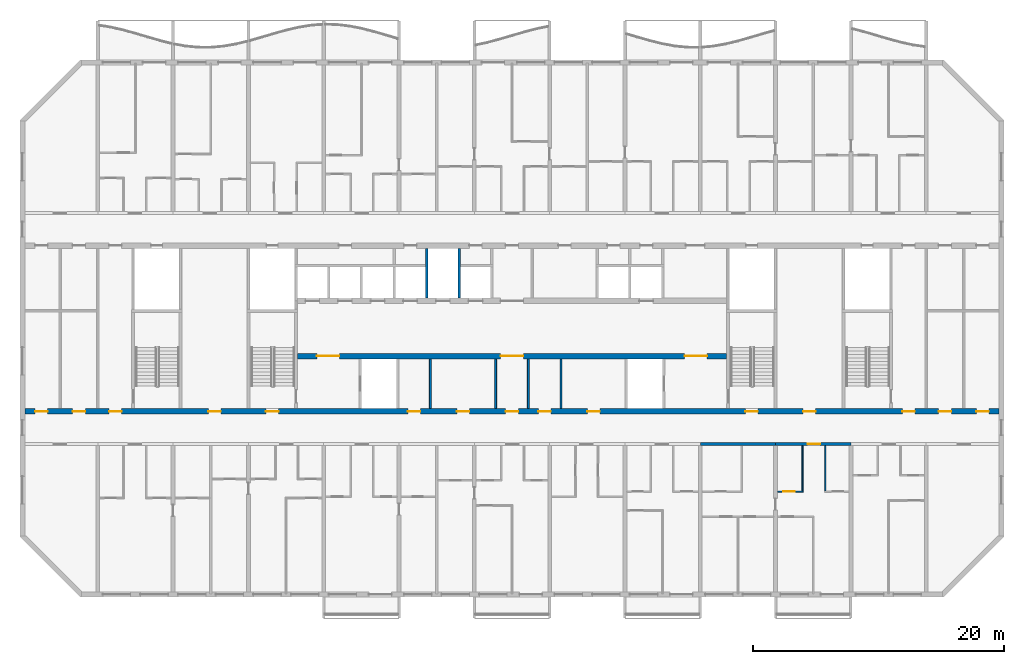
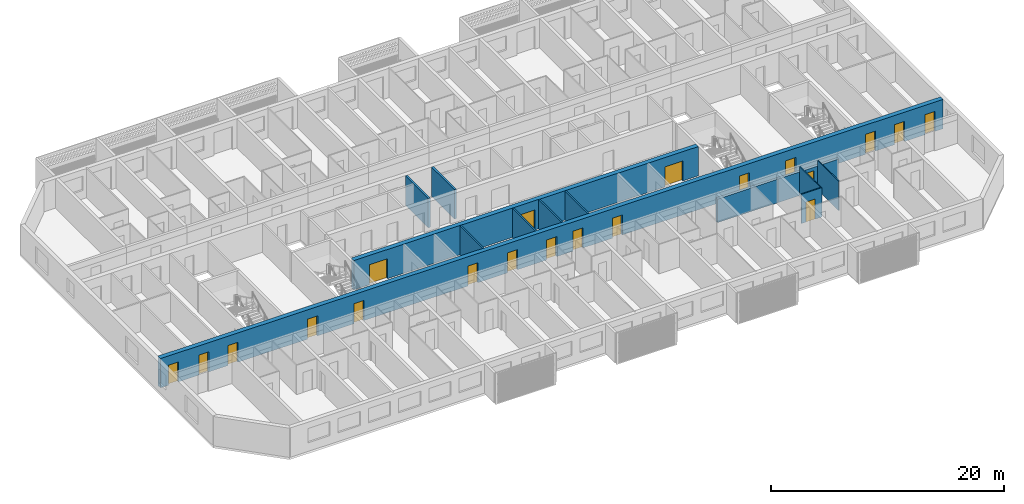
# One storey, part 6 of 32: 20 doors, 13 walls, 20 openings.
"""IFC4 building model written with IfcOpenShell, lengths in metres."""

from ifc_helpers import new_model, si_unit, direction, frame, frame_2d, origin, place, context, subcontext, project, spatial, rectangle, extrude, material, layer, layer_set, type_object, element, fill, save


model = new_model("IFC4")

# Units and contexts
model_context = context("Model", 3, precision=1e-05, world=origin(), true_north=direction((0.0, 1.0)))
body_context = subcontext(model_context, "Body", "Model", "MODEL_VIEW")
ifc_project = project(units=[si_unit("LENGTHUNIT", "METRE"), si_unit("AREAUNIT", "SQUARE_METRE"), si_unit("VOLUMEUNIT", "CUBIC_METRE"), si_unit("PLANEANGLEUNIT", "RADIAN"), si_unit("MASSUNIT", "GRAM", prefix="KILO")], contexts=[model_context])

# Site, building, storey
site_placement = place(None, origin())
site = spatial("IfcSite", under=ifc_project, at=site_placement, CompositionType="ELEMENT")
building_placement = place(site_placement, origin())
building = spatial("IfcBuilding", under=site, at=building_placement, Name="Poui Terraces", CompositionType="ELEMENT")
storey_placement = place(building_placement, frame((0.0, 0.0, 129.0)))
storey = spatial("IfcBuildingStorey", under=building, at=storey_placement, Name="L35", CompositionType="ELEMENT", Elevation=129.0)

# Wall, openings, doors
ifc_material_1 = material(Name="Concrete 65 MPa", Category="concrete")
ifc_layer_1 = layer(ifc_material_1, 0.449951171875)
ifc_layer_set_1 = layer_set([ifc_layer_1], Name="Concrete 65 MPa")
wall_type_1 = type_object("IfcWallType", Name="CORE WALL 450 65 MPA", PredefinedType="SOLIDWALL", material=ifc_layer_set_1)
wall_1_placement = place(storey_placement, frame((33.925048828125, 19.0, 0.0), z_axis=(0.0, 0.0, 1.0), x_axis=(1.0, 0.0, 0.0)))
wall_1 = element("IfcWall", 1, at=wall_1_placement, inside=storey, type_object=wall_type_1, Name="CORE WALL", PredefinedType="SOLIDWALL", context=body_context, shape_type="SweptSolid", body=[
    extrude(rectangle(XDim=34.14990234375, YDim=0.449951171875, at=frame_2d((17.074951171875, 0.0))), origin(), (0.0, 0.0, 1.0), 3.070068359375),
])
opening_1_placement = place(wall_1_placement, frame((16.175048828125, 0.0, 0.0)))
opening_1 = element("IfcOpeningElement", 2, at=opening_1_placement, cuts=wall_1, Name="Opening FDD60", PredefinedType="OPENING", context=body_context, shape_type="SweptSolid", body=[
    extrude(rectangle(XDim=1.800048828125, YDim=2.10009765625, at=frame_2d((0.89990234375, 1.050048828125))), frame((0.0, 0.23486328125, 0.0), z_axis=(0.0, -1.0, 0.0), x_axis=(1.0, 0.0, 0.0)), (0.0, 0.0, 1.0), 0.469970703125),
])
opening_2_placement = place(wall_1_placement, frame((1.52490234375, 0.0, 0.0)))
opening_2 = element("IfcOpeningElement", 3, at=opening_2_placement, cuts=wall_1, Name="Opening FDD60", PredefinedType="OPENING", context=body_context, shape_type="SweptSolid", body=[
    extrude(rectangle(XDim=1.800048828125, YDim=2.10009765625, at=frame_2d((0.89990234375, 1.050048828125))), frame((0.0, 0.23486328125, 0.0), z_axis=(0.0, -1.0, 0.0), x_axis=(1.0, 0.0, 0.0)), (0.0, 0.0, 1.0), 0.469970703125),
])
opening_3_placement = place(wall_1_placement, frame((30.824951171875, 0.0, 0.0)))
opening_3 = element("IfcOpeningElement", 4, at=opening_3_placement, cuts=wall_1, Name="Opening FDD60", PredefinedType="OPENING", context=body_context, shape_type="SweptSolid", body=[
    extrude(rectangle(XDim=1.800048828125, YDim=2.10009765625, at=frame_2d((0.89990234375, 1.050048828125))), frame((0.0, 0.23486328125, 0.0), z_axis=(0.0, -1.0, 0.0), x_axis=(1.0, 0.0, 0.0)), (0.0, 0.0, 1.0), 0.469970703125),
])
ifc_material_2 = material(Name="Steel fire door", Category="steel")
door_type_1 = type_object("IfcDoorType", Name="DOUBLE LOBBY FIRE DOOR 1800 X 2100", OperationType="DOUBLE_DOOR_SINGLE_SWING", PredefinedType="DOOR", material=ifc_material_2)
door_1_placement = place(opening_1_placement, frame((1.800048828125, 0.0, 0.0), z_axis=(0.0, 0.0, 1.0), x_axis=(-1.0, 0.0, 0.0)))
door_1 = element("IfcDoor", 5, at=door_1_placement, inside=storey, type_object=door_type_1, Name="DOUBLE LOBBY FIRE DOOR 126", OperationType="DOUBLE_DOOR_SINGLE_SWING", OverallHeight=2.10009765625, OverallWidth=1.800048828125, PredefinedType="DOOR", context=body_context, shape_type="SweptSolid", body=[
    extrude(rectangle(XDim=1.800048828125, YDim=2.10009765625, at=frame_2d((0.89990234375, 1.050048828125))), frame((0.0, 0.02490234375, 0.0), z_axis=(0.0, -1.0, 0.0), x_axis=(1.0, 0.0, 0.0)), (0.0, 0.0, 1.0), 0.050048828125),
])
fill(opening_1, door_1)
door_2_placement = place(opening_2_placement, origin())
door_2 = element("IfcDoor", 6, at=door_2_placement, inside=storey, type_object=door_type_1, Name="DOUBLE LOBBY FIRE DOOR 128", OperationType="DOUBLE_DOOR_SINGLE_SWING", OverallHeight=2.10009765625, OverallWidth=1.800048828125, PredefinedType="DOOR", context=body_context, shape_type="SweptSolid", body=[
    extrude(rectangle(XDim=1.800048828125, YDim=2.10009765625, at=frame_2d((0.89990234375, 1.050048828125))), frame((0.0, 0.02490234375, 0.0), z_axis=(0.0, -1.0, 0.0), x_axis=(1.0, 0.0, 0.0)), (0.0, 0.0, 1.0), 0.050048828125),
])
fill(opening_2, door_2)
door_3_placement = place(opening_3_placement, origin())
door_3 = element("IfcDoor", 7, at=door_3_placement, inside=storey, type_object=door_type_1, Name="DOUBLE LOBBY FIRE DOOR 135", OperationType="DOUBLE_DOOR_SINGLE_SWING", OverallHeight=2.10009765625, OverallWidth=1.800048828125, PredefinedType="DOOR", context=body_context, shape_type="SweptSolid", body=[
    extrude(rectangle(XDim=1.800048828125, YDim=2.10009765625, at=frame_2d((0.89990234375, 1.050048828125))), frame((0.0, 0.02490234375, 0.0), z_axis=(0.0, -1.0, 0.0), x_axis=(1.0, 0.0, 0.0)), (0.0, 0.0, 1.0), 0.050048828125),
])
fill(opening_3, door_3)

# Walls
ifc_material_3 = material(Name="Fire-rated plasterboard wall")
ifc_layer_2 = layer(ifc_material_3, 0.14990234375)
ifc_layer_set_2 = layer_set([ifc_layer_2], Name="Fire-rated plasterboard wall")
wall_type_2 = type_object("IfcWallType", Name="CORRIDOR WALL 150", PredefinedType="PARTITIONING", material=ifc_layer_set_2)
for number, where, z_axis, x_axis, name in (
    (8, (49.699951171875, 14.8349609375, 0.0), (0.0, 0.0, 1.0), (0.0, 1.0, 0.0), "CORRIDOR WALL 150"),
    (9, (52.300048828125, 14.8349609375, 0.0), (0.0, 0.0, 1.0), (0.0, 1.0, 0.0), "CORRIDOR WALL 150"),
):
    element("IfcWall", number, at=place(storey_placement, frame(where, z_axis=z_axis, x_axis=x_axis)), inside=storey, type_object=wall_type_2, Name=name, PredefinedType="PARTITIONING", context=body_context, shape_type="SweptSolid", body=[
        extrude(rectangle(XDim=3.929931640625, YDim=0.14990234375, at=frame_2d((1.96484375, 0.0))), origin(), (0.0, 0.0, 1.0), 3.070068359375),
    ])
ifc_layer_3 = layer(ifc_material_1, 0.25)
ifc_layer_set_3 = layer_set([ifc_layer_3], Name="Concrete 65 MPa")
wall_type_3 = type_object("IfcWallType", Name="CORRIDOR WALL 250 65MPa", PredefinedType="SHEAR", material=ifc_layer_set_3)
wall_2_placement = place(storey_placement, frame((66.0, 12.0, 0.0), z_axis=(0.0, 0.0, 1.0), x_axis=(1.0, 0.0, 0.0)))
element("IfcWall", 10, at=wall_2_placement, inside=storey, type_object=wall_type_3, Name="CORRIDOR WALL LINE B BAY 10", PredefinedType="SHEAR", context=body_context, shape_type="SweptSolid", body=[
    extrude(rectangle(XDim=6.0, YDim=0.25, at=frame_2d((3.0, 0.0))), origin(), (0.0, 0.0, 1.0), 2.469970703125),
])

# Wall, opening, door
wall_3_placement = place(storey_placement, frame((72.0, 12.0, 0.0), z_axis=(0.0, 0.0, 1.0), x_axis=(1.0, 0.0, 0.0)))
wall_3 = element("IfcWall", 11, at=wall_3_placement, inside=storey, type_object=wall_type_3, Name="CORRIDOR WALL LINE B BAY 11", PredefinedType="SHEAR", context=body_context, shape_type="SweptSolid", body=[
    extrude(rectangle(XDim=6.0, YDim=0.25, at=frame_2d((3.0, 0.0))), origin(), (0.0, 0.0, 1.0), 2.469970703125),
])
opening_4_placement = place(wall_3_placement, frame((2.550048828125, 0.0, 0.0)))
opening_4 = element("IfcOpeningElement", 12, at=opening_4_placement, cuts=wall_3, Name="Opening FD30S", PredefinedType="OPENING", context=body_context, shape_type="SweptSolid", body=[
    extrude(rectangle(XDim=1.0, YDim=2.10009765625, at=frame_2d((0.5, 1.050048828125))), frame((0.0, 0.135009765625, 0.0), z_axis=(0.0, -1.0, 0.0), x_axis=(1.0, 0.0, 0.0)), (0.0, 0.0, 1.0), 0.27001953125),
])
door_type_2 = type_object("IfcDoorType", Name="FLAT ENTRANCE DOOR 1000 X 2100", OperationType="NOTDEFINED", PredefinedType="DOOR", material=ifc_material_2)
door_4_placement = place(opening_4_placement, frame((1.0, 0.0, 0.0), z_axis=(0.0, 0.0, 1.0), x_axis=(-1.0, 0.0, 0.0)))
door_4 = element("IfcDoor", 13, at=door_4_placement, inside=storey, type_object=door_type_2, Name="FLAT ENTRANCE DOOR 114", OperationType="SINGLE_SWING_LEFT", OverallHeight=2.10009765625, OverallWidth=1.0, PredefinedType="DOOR", context=body_context, shape_type="SweptSolid", body=[
    extrude(rectangle(XDim=1.0, YDim=2.10009765625, at=frame_2d((0.5, 1.050048828125))), frame((0.0, 0.02490234375, 0.0), z_axis=(0.0, -1.0, 0.0), x_axis=(1.0, 0.0, 0.0)), (0.0, 0.0, 1.0), 0.050048828125),
])
fill(opening_4, door_4)

ifc_material_4 = material(Name="Plasterboard partition")
ifc_layer_4 = layer(ifc_material_4, 0.10009765625)
ifc_layer_set_4 = layer_set([ifc_layer_4], Name="Plasterboard partition")
wall_type_4 = type_object("IfcWallType", Name="FLAT PARTITION 100", PredefinedType="PARTITIONING", material=ifc_layer_set_4)
wall_4_placement = place(storey_placement, frame((72.159912109375, 8.199951171875, 0.0), z_axis=(0.0, 0.0, 1.0), x_axis=(1.0, 0.0, 0.0)))
wall_4 = element("IfcWall", 14, at=wall_4_placement, inside=storey, type_object=wall_type_4, Name="FLAT PARTITION 100", PredefinedType="PARTITIONING", context=body_context, shape_type="SweptSolid", body=[
    extrude(rectangle(XDim=2.0400390625, YDim=0.10009765625, at=frame_2d((1.02001953125, 0.0))), origin(), (0.0, 0.0, 1.0), 3.070068359375),
])
opening_5_placement = place(wall_4_placement, frame((0.465087890625, 0.0, 0.0)))
opening_5 = element("IfcOpeningElement", 15, at=opening_5_placement, cuts=wall_4, Name="Opening D90", PredefinedType="OPENING", context=body_context, shape_type="SweptSolid", body=[
    extrude(rectangle(XDim=0.89990234375, YDim=2.10009765625, at=frame_2d((0.449951171875, 1.050048828125))), frame((0.0, 0.06005859375, 0.0), z_axis=(0.0, -1.0, 0.0), x_axis=(1.0, 0.0, 0.0)), (0.0, 0.0, 1.0), 0.1201171875),
])
ifc_material_5 = material(Name="Solid core timber door", Category="wood")
door_type_3 = type_object("IfcDoorType", Name="INTERNAL DOOR 900 X 2100", OperationType="NOTDEFINED", PredefinedType="DOOR", material=ifc_material_5)
door_5_placement = place(opening_5_placement, origin())
door_5 = element("IfcDoor", 16, at=door_5_placement, inside=storey, type_object=door_type_3, Name="INTERNAL DOOR 113", OperationType="SINGLE_SWING_LEFT", OverallHeight=2.10009765625, OverallWidth=0.89990234375, PredefinedType="DOOR", context=body_context, shape_type="SweptSolid", body=[
    extrude(rectangle(XDim=0.89990234375, YDim=2.10009765625, at=frame_2d((0.449951171875, 1.050048828125))), frame((0.0, 0.02490234375, 0.0), z_axis=(0.0, -1.0, 0.0), x_axis=(1.0, 0.0, 0.0)), (0.0, 0.0, 1.0), 0.050048828125),
])
fill(opening_5, door_5)

# Walls
for number, where, z_axis, x_axis, name in (
    (17, (74.14990234375, 8.25, 0.0), (0.0, 0.0, 1.0), (0.0, 1.0, 0.0), "FLAT PARTITION 100"),
    (18, (75.949951171875, 8.25, 0.0), (0.0, 0.0, 1.0), (0.0, 1.0, 0.0), "FLAT PARTITION 100"),
):
    element("IfcWall", number, at=place(storey_placement, frame(where, z_axis=z_axis, x_axis=x_axis)), inside=storey, type_object=wall_type_4, Name=name, PredefinedType="PARTITIONING", context=body_context, shape_type="SweptSolid", body=[
        extrude(rectangle(XDim=3.614990234375, YDim=0.10009765625, at=frame_2d((1.8076171875, 0.0))), origin(), (0.0, 0.0, 1.0), 3.070068359375),
    ])
ifc_layer_5 = layer(ifc_material_4, 0.14990234375)
ifc_layer_set_5 = layer_set([ifc_layer_5], Name="Plasterboard partition")
wall_type_5 = type_object("IfcWallType", Name="PARTITION WALL 150", PredefinedType="PARTITIONING", material=ifc_layer_set_5)
for number, where, z_axis, x_axis, name in (
    (19, (44.5, 14.8349609375, 0.0), (0.0, 0.0, 1.0), (0.0, 1.0, 0.0), "PARTITION WALL 150"),
    (20, (54.89990234375, 14.8349609375, 0.0), (0.0, 0.0, 1.0), (0.0, 1.0, 0.0), "PARTITION WALL 150"),
):
    element("IfcWall", number, at=place(storey_placement, frame(where, z_axis=z_axis, x_axis=x_axis)), inside=storey, type_object=wall_type_5, Name=name, PredefinedType="PARTITIONING", context=body_context, shape_type="SweptSolid", body=[
        extrude(rectangle(XDim=3.929931640625, YDim=0.14990234375, at=frame_2d((1.96484375, 0.0))), origin(), (0.0, 0.0, 1.0), 3.070068359375),
    ])
ifc_material_6 = material(Name="Fire-rated masonry shaft wall", Category="masonry")
ifc_layer_6 = layer(ifc_material_6, 0.199951171875)
ifc_layer_set_6 = layer_set([ifc_layer_6], Name="Fire-rated masonry shaft wall")
wall_type_6 = type_object("IfcWallType", Name="SHAFT WALL 200", PredefinedType="PARTITIONING", material=ifc_layer_set_6)
for number, where, z_axis, x_axis, name in (
    (21, (44.199951171875, 23.635009765625, 0.0), (0.0, 0.0, 1.0), (0.0, 1.0, 0.0), "SHAFT WALL 200"),
    (22, (46.800048828125, 23.635009765625, 0.0), (0.0, 0.0, 1.0), (0.0, 1.0, 0.0), "SHAFT WALL 200"),
):
    element("IfcWall", number, at=place(storey_placement, frame(where, z_axis=z_axis, x_axis=x_axis)), inside=storey, type_object=wall_type_6, Name=name, PredefinedType="PARTITIONING", context=body_context, shape_type="SweptSolid", body=[
        extrude(rectangle(XDim=3.929931640625, YDim=0.199951171875, at=frame_2d((1.96484375, 0.0))), origin(), (0.0, 0.0, 1.0), 3.070068359375),
    ])

# Wall, openings, doors
ifc_layer_7 = layer(ifc_material_1, 0.449951171875)
ifc_layer_set_7 = layer_set([ifc_layer_7], Name="Concrete 65 MPa")
wall_type_7 = type_object("IfcWallType", Name="SPINE WALL 450 65 MPA", PredefinedType="SOLIDWALL", material=ifc_layer_set_7)
wall_5_placement = place(storey_placement, frame((12.199951171875, 14.60009765625, 0.0), z_axis=(0.0, 0.0, 1.0), x_axis=(1.0, 0.0, 0.0)))
wall_5 = element("IfcWall", 23, at=wall_5_placement, inside=storey, type_object=wall_type_7, Name="SPINE WALL", PredefinedType="SOLIDWALL", context=body_context, shape_type="SweptSolid", body=[
    extrude(rectangle(XDim=77.60009765625, YDim=0.449951171875, at=frame_2d((38.800048828125, 0.0))), origin(), (0.0, 0.0, 1.0), 3.070068359375),
])
opening_6_placement = place(wall_5_placement, frame((0.800048828125, 0.0, 0.0)))
opening_6 = element("IfcOpeningElement", 24, at=opening_6_placement, cuts=wall_5, Name="Opening D100", PredefinedType="OPENING", context=body_context, shape_type="SweptSolid", body=[
    extrude(rectangle(XDim=1.0, YDim=2.10009765625, at=frame_2d((0.5, 1.050048828125))), frame((0.0, 0.23486328125, 0.0), z_axis=(0.0, -1.0, 0.0), x_axis=(1.0, 0.0, 0.0)), (0.0, 0.0, 1.0), 0.469970703125),
])
opening_7_placement = place(wall_5_placement, frame((3.800048828125, 0.0, 0.0)))
opening_7 = element("IfcOpeningElement", 25, at=opening_7_placement, cuts=wall_5, Name="Opening FD60", PredefinedType="OPENING", context=body_context, shape_type="SweptSolid", body=[
    extrude(rectangle(XDim=1.0, YDim=2.10009765625, at=frame_2d((0.5, 1.050048828125))), frame((0.0, 0.23486328125, 0.0), z_axis=(0.0, -1.0, 0.0), x_axis=(1.0, 0.0, 0.0)), (0.0, 0.0, 1.0), 0.469970703125),
])
opening_8_placement = place(wall_5_placement, frame((6.699951171875, 0.0, 0.0)))
opening_8 = element("IfcOpeningElement", 26, at=opening_8_placement, cuts=wall_5, Name="Opening FDL", PredefinedType="OPENING", context=body_context, shape_type="SweptSolid", body=[
    extrude(rectangle(XDim=1.0, YDim=2.10009765625, at=frame_2d((0.5, 1.050048828125))), frame((0.0, 0.23486328125, 0.0), z_axis=(0.0, -1.0, 0.0), x_axis=(1.0, 0.0, 0.0)), (0.0, 0.0, 1.0), 0.469970703125),
])
opening_9_placement = place(wall_5_placement, frame((14.60009765625, 0.0, 0.0)))
opening_9 = element("IfcOpeningElement", 27, at=opening_9_placement, cuts=wall_5, Name="Opening D100", PredefinedType="OPENING", context=body_context, shape_type="SweptSolid", body=[
    extrude(rectangle(XDim=1.0, YDim=2.10009765625, at=frame_2d((0.5, 1.050048828125))), frame((0.0, 0.23486328125, 0.0), z_axis=(0.0, -1.0, 0.0), x_axis=(1.0, 0.0, 0.0)), (0.0, 0.0, 1.0), 0.469970703125),
])
opening_10_placement = place(wall_5_placement, frame((19.199951171875, 0.0, 0.0)))
opening_10 = element("IfcOpeningElement", 28, at=opening_10_placement, cuts=wall_5, Name="Opening FD60S", PredefinedType="OPENING", context=body_context, shape_type="SweptSolid", body=[
    extrude(rectangle(XDim=1.0, YDim=2.10009765625, at=frame_2d((0.5, 1.050048828125))), frame((0.0, 0.23486328125, 0.0), z_axis=(0.0, -1.0, 0.0), x_axis=(1.0, 0.0, 0.0)), (0.0, 0.0, 1.0), 0.469970703125),
])
opening_11_placement = place(wall_5_placement, frame((30.5, 0.0, 0.0)))
opening_11 = element("IfcOpeningElement", 29, at=opening_11_placement, cuts=wall_5, Name="Opening FD60", PredefinedType="OPENING", context=body_context, shape_type="SweptSolid", body=[
    extrude(rectangle(XDim=1.0, YDim=2.10009765625, at=frame_2d((0.5, 1.050048828125))), frame((0.0, 0.23486328125, 0.0), z_axis=(0.0, -1.0, 0.0), x_axis=(1.0, 0.0, 0.0)), (0.0, 0.0, 1.0), 0.469970703125),
])
opening_12_placement = place(wall_5_placement, frame((34.39990234375, 0.0, 0.0)))
opening_12 = element("IfcOpeningElement", 30, at=opening_12_placement, cuts=wall_5, Name="Opening FD60", PredefinedType="OPENING", context=body_context, shape_type="SweptSolid", body=[
    extrude(rectangle(XDim=1.0, YDim=2.10009765625, at=frame_2d((0.5, 1.050048828125))), frame((0.0, 0.23486328125, 0.0), z_axis=(0.0, -1.0, 0.0), x_axis=(1.0, 0.0, 0.0)), (0.0, 0.0, 1.0), 0.469970703125),
])
opening_13_placement = place(wall_5_placement, frame((38.300048828125, 0.0, 0.0)))
opening_13 = element("IfcOpeningElement", 31, at=opening_13_placement, cuts=wall_5, Name="Opening FDL", PredefinedType="OPENING", context=body_context, shape_type="SweptSolid", body=[
    extrude(rectangle(XDim=1.0, YDim=2.10009765625, at=frame_2d((0.5, 1.050048828125))), frame((0.0, 0.23486328125, 0.0), z_axis=(0.0, -1.0, 0.0), x_axis=(1.0, 0.0, 0.0)), (0.0, 0.0, 1.0), 0.469970703125),
])
opening_14_placement = place(wall_5_placement, frame((40.89990234375, 0.0, 0.0)))
opening_14 = element("IfcOpeningElement", 32, at=opening_14_placement, cuts=wall_5, Name="Opening FD60", PredefinedType="OPENING", context=body_context, shape_type="SweptSolid", body=[
    extrude(rectangle(XDim=1.0, YDim=2.10009765625, at=frame_2d((0.5, 1.050048828125))), frame((0.0, 0.23486328125, 0.0), z_axis=(0.0, -1.0, 0.0), x_axis=(1.0, 0.0, 0.0)), (0.0, 0.0, 1.0), 0.469970703125),
])
opening_15_placement = place(wall_5_placement, frame((44.800048828125, 0.0, 0.0)))
opening_15 = element("IfcOpeningElement", 33, at=opening_15_placement, cuts=wall_5, Name="Opening FD60", PredefinedType="OPENING", context=body_context, shape_type="SweptSolid", body=[
    extrude(rectangle(XDim=1.0, YDim=2.10009765625, at=frame_2d((0.5, 1.050048828125))), frame((0.0, 0.23486328125, 0.0), z_axis=(0.0, -1.0, 0.0), x_axis=(1.0, 0.0, 0.0)), (0.0, 0.0, 1.0), 0.469970703125),
])
opening_16_placement = place(wall_5_placement, frame((57.39990234375, 0.0, 0.0)))
opening_16 = element("IfcOpeningElement", 34, at=opening_16_placement, cuts=wall_5, Name="Opening FD60S", PredefinedType="OPENING", context=body_context, shape_type="SweptSolid", body=[
    extrude(rectangle(XDim=1.0, YDim=2.10009765625, at=frame_2d((0.5, 1.050048828125))), frame((0.0, 0.23486328125, 0.0), z_axis=(0.0, -1.0, 0.0), x_axis=(1.0, 0.0, 0.0)), (0.0, 0.0, 1.0), 0.469970703125),
])
opening_17_placement = place(wall_5_placement, frame((62.0, 0.0, 0.0)))
opening_17 = element("IfcOpeningElement", 35, at=opening_17_placement, cuts=wall_5, Name="Opening D100", PredefinedType="OPENING", context=body_context, shape_type="SweptSolid", body=[
    extrude(rectangle(XDim=1.0, YDim=2.10009765625, at=frame_2d((0.5, 1.050048828125))), frame((0.0, 0.23486328125, 0.0), z_axis=(0.0, -1.0, 0.0), x_axis=(1.0, 0.0, 0.0)), (0.0, 0.0, 1.0), 0.469970703125),
])
opening_18_placement = place(wall_5_placement, frame((69.89990234375, 0.0, 0.0)))
opening_18 = element("IfcOpeningElement", 36, at=opening_18_placement, cuts=wall_5, Name="Opening FDL", PredefinedType="OPENING", context=body_context, shape_type="SweptSolid", body=[
    extrude(rectangle(XDim=1.0, YDim=2.10009765625, at=frame_2d((0.5, 1.050048828125))), frame((0.0, 0.23486328125, 0.0), z_axis=(0.0, -1.0, 0.0), x_axis=(1.0, 0.0, 0.0)), (0.0, 0.0, 1.0), 0.469970703125),
])
opening_19_placement = place(wall_5_placement, frame((72.800048828125, 0.0, 0.0)))
opening_19 = element("IfcOpeningElement", 37, at=opening_19_placement, cuts=wall_5, Name="Opening FD60", PredefinedType="OPENING", context=body_context, shape_type="SweptSolid", body=[
    extrude(rectangle(XDim=1.0, YDim=2.10009765625, at=frame_2d((0.5, 1.050048828125))), frame((0.0, 0.23486328125, 0.0), z_axis=(0.0, -1.0, 0.0), x_axis=(1.0, 0.0, 0.0)), (0.0, 0.0, 1.0), 0.469970703125),
])
opening_20_placement = place(wall_5_placement, frame((75.800048828125, 0.0, 0.0)))
opening_20 = element("IfcOpeningElement", 38, at=opening_20_placement, cuts=wall_5, Name="Opening FD60", PredefinedType="OPENING", context=body_context, shape_type="SweptSolid", body=[
    extrude(rectangle(XDim=1.0, YDim=2.10009765625, at=frame_2d((0.5, 1.050048828125))), frame((0.0, 0.23486328125, 0.0), z_axis=(0.0, -1.0, 0.0), x_axis=(1.0, 0.0, 0.0)), (0.0, 0.0, 1.0), 0.469970703125),
])
door_type_4 = type_object("IfcDoorType", Name="ACCESSIBLE INTERNAL DOOR 1000 X 2100", OperationType="NOTDEFINED", PredefinedType="DOOR", material=ifc_material_5)
door_6_placement = place(opening_6_placement, frame((1.0, 0.0, 0.0), z_axis=(0.0, 0.0, 1.0), x_axis=(-1.0, 0.0, 0.0)))
door_6 = element("IfcDoor", 39, at=door_6_placement, inside=storey, type_object=door_type_4, Name="ACCESSIBLE INTERNAL DOOR 019", OperationType="SINGLE_SWING_RIGHT", OverallHeight=2.10009765625, OverallWidth=1.0, PredefinedType="DOOR", context=body_context, shape_type="SweptSolid", body=[
    extrude(rectangle(XDim=1.0, YDim=2.10009765625, at=frame_2d((0.5, 1.050048828125))), frame((0.0, 0.02490234375, 0.0), z_axis=(0.0, -1.0, 0.0), x_axis=(1.0, 0.0, 0.0)), (0.0, 0.0, 1.0), 0.050048828125),
])
fill(opening_6, door_6)
door_7_placement = place(opening_9_placement, frame((1.0, 0.0, 0.0), z_axis=(0.0, 0.0, 1.0), x_axis=(-1.0, 0.0, 0.0)))
door_7 = element("IfcDoor", 40, at=door_7_placement, inside=storey, type_object=door_type_4, Name="ACCESSIBLE INTERNAL DOOR 022", OperationType="SINGLE_SWING_RIGHT", OverallHeight=2.10009765625, OverallWidth=1.0, PredefinedType="DOOR", context=body_context, shape_type="SweptSolid", body=[
    extrude(rectangle(XDim=1.0, YDim=2.10009765625, at=frame_2d((0.5, 1.050048828125))), frame((0.0, 0.02490234375, 0.0), z_axis=(0.0, -1.0, 0.0), x_axis=(1.0, 0.0, 0.0)), (0.0, 0.0, 1.0), 0.050048828125),
])
fill(opening_9, door_7)
door_8_placement = place(opening_17_placement, frame((1.0, 0.0, 0.0), z_axis=(0.0, 0.0, 1.0), x_axis=(-1.0, 0.0, 0.0)))
door_8 = element("IfcDoor", 41, at=door_8_placement, inside=storey, type_object=door_type_4, Name="ACCESSIBLE INTERNAL DOOR 030", OperationType="SINGLE_SWING_LEFT", OverallHeight=2.10009765625, OverallWidth=1.0, PredefinedType="DOOR", context=body_context, shape_type="SweptSolid", body=[
    extrude(rectangle(XDim=1.0, YDim=2.10009765625, at=frame_2d((0.5, 1.050048828125))), frame((0.0, 0.02490234375, 0.0), z_axis=(0.0, -1.0, 0.0), x_axis=(1.0, 0.0, 0.0)), (0.0, 0.0, 1.0), 0.050048828125),
])
fill(opening_17, door_8)
door_type_5 = type_object("IfcDoorType", Name="LOBBY FIRE DOOR 1000 X 2100", OperationType="NOTDEFINED", PredefinedType="DOOR", material=ifc_material_2)
door_9_placement = place(opening_8_placement, frame((1.0, 0.0, 0.0), z_axis=(0.0, 0.0, 1.0), x_axis=(-1.0, 0.0, 0.0)))
door_9 = element("IfcDoor", 42, at=door_9_placement, inside=storey, type_object=door_type_5, Name="LOBBY FIRE DOOR 021", OperationType="SINGLE_SWING_RIGHT", OverallHeight=2.10009765625, OverallWidth=1.0, PredefinedType="DOOR", context=body_context, shape_type="SweptSolid", body=[
    extrude(rectangle(XDim=1.0, YDim=2.10009765625, at=frame_2d((0.5, 1.050048828125))), frame((0.0, 0.02490234375, 0.0), z_axis=(0.0, -1.0, 0.0), x_axis=(1.0, 0.0, 0.0)), (0.0, 0.0, 1.0), 0.050048828125),
])
fill(opening_8, door_9)
door_10_placement = place(opening_13_placement, frame((1.0, 0.0, 0.0), z_axis=(0.0, 0.0, 1.0), x_axis=(-1.0, 0.0, 0.0)))
door_10 = element("IfcDoor", 43, at=door_10_placement, inside=storey, type_object=door_type_5, Name="LOBBY FIRE DOOR 026", OperationType="SINGLE_SWING_LEFT", OverallHeight=2.10009765625, OverallWidth=1.0, PredefinedType="DOOR", context=body_context, shape_type="SweptSolid", body=[
    extrude(rectangle(XDim=1.0, YDim=2.10009765625, at=frame_2d((0.5, 1.050048828125))), frame((0.0, 0.02490234375, 0.0), z_axis=(0.0, -1.0, 0.0), x_axis=(1.0, 0.0, 0.0)), (0.0, 0.0, 1.0), 0.050048828125),
])
fill(opening_13, door_10)
door_11_placement = place(opening_18_placement, frame((1.0, 0.0, 0.0), z_axis=(0.0, 0.0, 1.0), x_axis=(-1.0, 0.0, 0.0)))
door_11 = element("IfcDoor", 44, at=door_11_placement, inside=storey, type_object=door_type_5, Name="LOBBY FIRE DOOR 031", OperationType="SINGLE_SWING_LEFT", OverallHeight=2.10009765625, OverallWidth=1.0, PredefinedType="DOOR", context=body_context, shape_type="SweptSolid", body=[
    extrude(rectangle(XDim=1.0, YDim=2.10009765625, at=frame_2d((0.5, 1.050048828125))), frame((0.0, 0.02490234375, 0.0), z_axis=(0.0, -1.0, 0.0), x_axis=(1.0, 0.0, 0.0)), (0.0, 0.0, 1.0), 0.050048828125),
])
fill(opening_18, door_11)
door_type_6 = type_object("IfcDoorType", Name="SERVICE ROOM FIRE DOOR 1000 X 2100", OperationType="NOTDEFINED", PredefinedType="DOOR", material=ifc_material_2)
door_12_placement = place(opening_7_placement, frame((1.0, 0.0, 0.0), z_axis=(0.0, 0.0, 1.0), x_axis=(-1.0, 0.0, 0.0)))
door_12 = element("IfcDoor", 45, at=door_12_placement, inside=storey, type_object=door_type_6, Name="SERVICE ROOM FIRE DOOR 020", OperationType="SINGLE_SWING_LEFT", OverallHeight=2.10009765625, OverallWidth=1.0, PredefinedType="DOOR", context=body_context, shape_type="SweptSolid", body=[
    extrude(rectangle(XDim=1.0, YDim=2.10009765625, at=frame_2d((0.5, 1.050048828125))), frame((0.0, 0.02490234375, 0.0), z_axis=(0.0, -1.0, 0.0), x_axis=(1.0, 0.0, 0.0)), (0.0, 0.0, 1.0), 0.050048828125),
])
fill(opening_7, door_12)
door_13_placement = place(opening_11_placement, frame((1.0, 0.0, 0.0), z_axis=(0.0, 0.0, 1.0), x_axis=(-1.0, 0.0, 0.0)))
door_13 = element("IfcDoor", 46, at=door_13_placement, inside=storey, type_object=door_type_6, Name="SERVICE ROOM FIRE DOOR 024", OperationType="SINGLE_SWING_LEFT", OverallHeight=2.10009765625, OverallWidth=1.0, PredefinedType="DOOR", context=body_context, shape_type="SweptSolid", body=[
    extrude(rectangle(XDim=1.0, YDim=2.10009765625, at=frame_2d((0.5, 1.050048828125))), frame((0.0, 0.02490234375, 0.0), z_axis=(0.0, -1.0, 0.0), x_axis=(1.0, 0.0, 0.0)), (0.0, 0.0, 1.0), 0.050048828125),
])
fill(opening_11, door_13)
door_14_placement = place(opening_12_placement, frame((1.0, 0.0, 0.0), z_axis=(0.0, 0.0, 1.0), x_axis=(-1.0, 0.0, 0.0)))
door_14 = element("IfcDoor", 47, at=door_14_placement, inside=storey, type_object=door_type_6, Name="SERVICE ROOM FIRE DOOR 025", OperationType="SINGLE_SWING_RIGHT", OverallHeight=2.10009765625, OverallWidth=1.0, PredefinedType="DOOR", context=body_context, shape_type="SweptSolid", body=[
    extrude(rectangle(XDim=1.0, YDim=2.10009765625, at=frame_2d((0.5, 1.050048828125))), frame((0.0, 0.02490234375, 0.0), z_axis=(0.0, -1.0, 0.0), x_axis=(1.0, 0.0, 0.0)), (0.0, 0.0, 1.0), 0.050048828125),
])
fill(opening_12, door_14)
door_15_placement = place(opening_14_placement, frame((1.0, 0.0, 0.0), z_axis=(0.0, 0.0, 1.0), x_axis=(-1.0, 0.0, 0.0)))
door_15 = element("IfcDoor", 48, at=door_15_placement, inside=storey, type_object=door_type_6, Name="SERVICE ROOM FIRE DOOR 027", OperationType="SINGLE_SWING_LEFT", OverallHeight=2.10009765625, OverallWidth=1.0, PredefinedType="DOOR", context=body_context, shape_type="SweptSolid", body=[
    extrude(rectangle(XDim=1.0, YDim=2.10009765625, at=frame_2d((0.5, 1.050048828125))), frame((0.0, 0.02490234375, 0.0), z_axis=(0.0, -1.0, 0.0), x_axis=(1.0, 0.0, 0.0)), (0.0, 0.0, 1.0), 0.050048828125),
])
fill(opening_14, door_15)
door_16_placement = place(opening_15_placement, frame((1.0, 0.0, 0.0), z_axis=(0.0, 0.0, 1.0), x_axis=(-1.0, 0.0, 0.0)))
door_16 = element("IfcDoor", 49, at=door_16_placement, inside=storey, type_object=door_type_6, Name="SERVICE ROOM FIRE DOOR 028", OperationType="SINGLE_SWING_RIGHT", OverallHeight=2.10009765625, OverallWidth=1.0, PredefinedType="DOOR", context=body_context, shape_type="SweptSolid", body=[
    extrude(rectangle(XDim=1.0, YDim=2.10009765625, at=frame_2d((0.5, 1.050048828125))), frame((0.0, 0.02490234375, 0.0), z_axis=(0.0, -1.0, 0.0), x_axis=(1.0, 0.0, 0.0)), (0.0, 0.0, 1.0), 0.050048828125),
])
fill(opening_15, door_16)
door_17_placement = place(opening_19_placement, frame((1.0, 0.0, 0.0), z_axis=(0.0, 0.0, 1.0), x_axis=(-1.0, 0.0, 0.0)))
door_17 = element("IfcDoor", 50, at=door_17_placement, inside=storey, type_object=door_type_6, Name="SERVICE ROOM FIRE DOOR 032", OperationType="SINGLE_SWING_RIGHT", OverallHeight=2.10009765625, OverallWidth=1.0, PredefinedType="DOOR", context=body_context, shape_type="SweptSolid", body=[
    extrude(rectangle(XDim=1.0, YDim=2.10009765625, at=frame_2d((0.5, 1.050048828125))), frame((0.0, 0.02490234375, 0.0), z_axis=(0.0, -1.0, 0.0), x_axis=(1.0, 0.0, 0.0)), (0.0, 0.0, 1.0), 0.050048828125),
])
fill(opening_19, door_17)
door_18_placement = place(opening_20_placement, frame((1.0, 0.0, 0.0), z_axis=(0.0, 0.0, 1.0), x_axis=(-1.0, 0.0, 0.0)))
door_18 = element("IfcDoor", 51, at=door_18_placement, inside=storey, type_object=door_type_6, Name="SERVICE ROOM FIRE DOOR 033", OperationType="SINGLE_SWING_LEFT", OverallHeight=2.10009765625, OverallWidth=1.0, PredefinedType="DOOR", context=body_context, shape_type="SweptSolid", body=[
    extrude(rectangle(XDim=1.0, YDim=2.10009765625, at=frame_2d((0.5, 1.050048828125))), frame((0.0, 0.02490234375, 0.0), z_axis=(0.0, -1.0, 0.0), x_axis=(1.0, 0.0, 0.0)), (0.0, 0.0, 1.0), 0.050048828125),
])
fill(opening_20, door_18)
door_type_7 = type_object("IfcDoorType", Name="STAIR DOOR 1000 X 2100", OperationType="NOTDEFINED", PredefinedType="DOOR", material=ifc_material_2)
door_19_placement = place(opening_10_placement, origin())
door_19 = element("IfcDoor", 52, at=door_19_placement, inside=storey, type_object=door_type_7, Name="STAIR DOOR 023", OperationType="SINGLE_SWING_RIGHT", OverallHeight=2.10009765625, OverallWidth=1.0, PredefinedType="DOOR", context=body_context, shape_type="SweptSolid", body=[
    extrude(rectangle(XDim=1.0, YDim=2.10009765625, at=frame_2d((0.5, 1.050048828125))), frame((0.0, 0.02490234375, 0.0), z_axis=(0.0, -1.0, 0.0), x_axis=(1.0, 0.0, 0.0)), (0.0, 0.0, 1.0), 0.050048828125),
])
fill(opening_10, door_19)
door_20_placement = place(opening_16_placement, origin())
door_20 = element("IfcDoor", 53, at=door_20_placement, inside=storey, type_object=door_type_7, Name="STAIR DOOR 029", OperationType="SINGLE_SWING_RIGHT", OverallHeight=2.10009765625, OverallWidth=1.0, PredefinedType="DOOR", context=body_context, shape_type="SweptSolid", body=[
    extrude(rectangle(XDim=1.0, YDim=2.10009765625, at=frame_2d((0.5, 1.050048828125))), frame((0.0, 0.02490234375, 0.0), z_axis=(0.0, -1.0, 0.0), x_axis=(1.0, 0.0, 0.0)), (0.0, 0.0, 1.0), 0.050048828125),
])
fill(opening_16, door_20)

save(model, "model.ifc")
